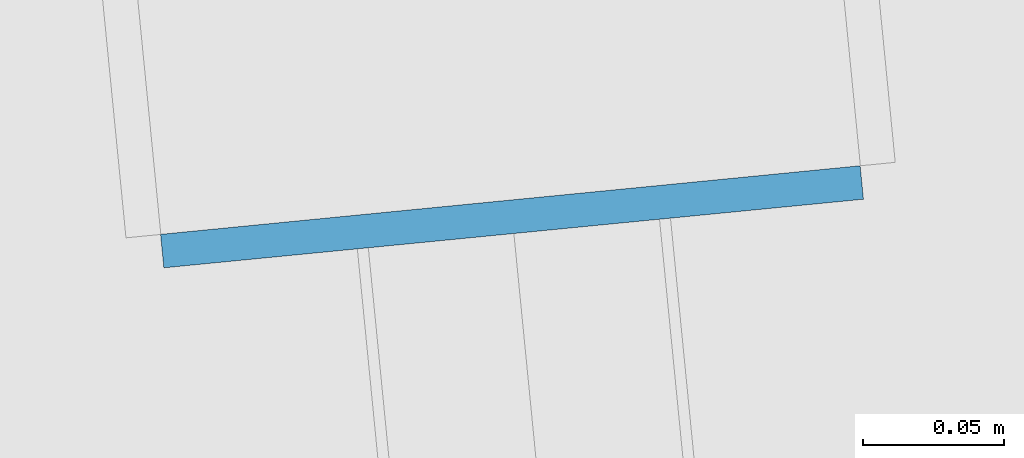
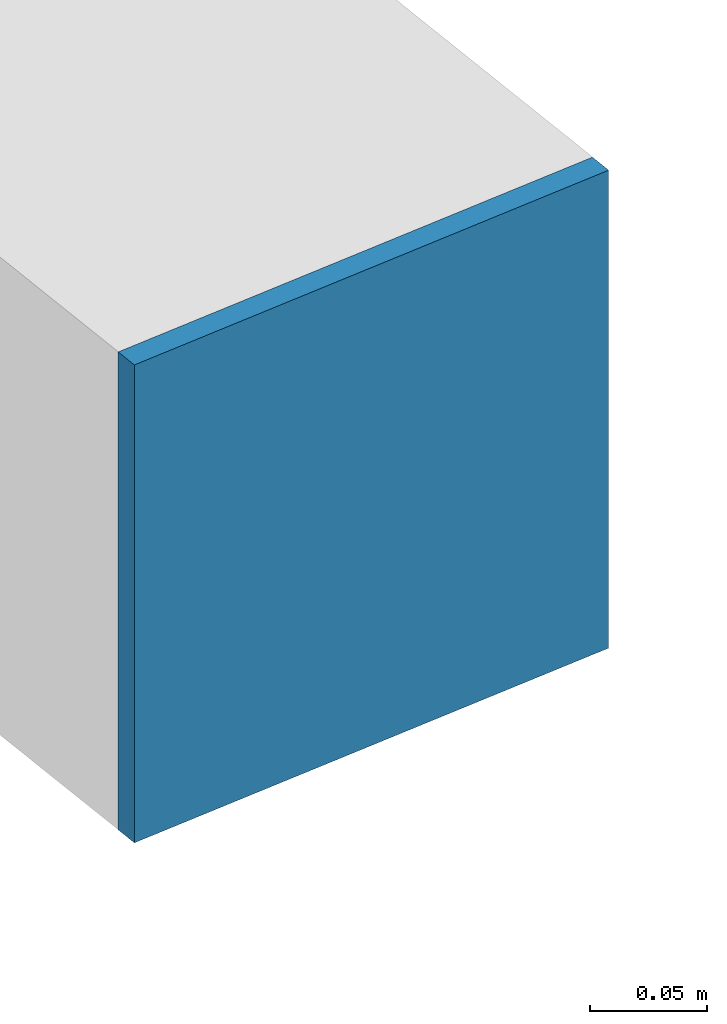
# One storey, part 39 of 53: 1 plate.
"""IFC4 building model written with IfcOpenShell, lengths in metres."""

from ifc_helpers import new_model, si_unit, direction, frame, origin, origin_2d, place, context, subcontext, project, spatial, rectangle, extrude, source, transform, mapped, material, layer, layer_set, type_object, element, save


model = new_model("IFC4")

# Units and contexts
model_context = context("Model", 3, precision=1e-05, world=origin(), true_north=direction((0.0, 1.0)))
body_context = subcontext(model_context, "Body", "Model", "MODEL_VIEW")
ifc_project = project(units=[si_unit("LENGTHUNIT", "METRE"), si_unit("AREAUNIT", "SQUARE_METRE"), si_unit("VOLUMEUNIT", "CUBIC_METRE"), si_unit("PLANEANGLEUNIT", "RADIAN"), si_unit("MASSUNIT", "GRAM", prefix="KILO")], contexts=[model_context])

# Site, building, storey
site_placement = place(None, origin())
site = spatial("IfcSite", under=ifc_project, at=site_placement, CompositionType="ELEMENT")
building_placement = place(site_placement, origin())
building = spatial("IfcBuilding", under=site, at=building_placement, Name="Taldren Reach Tower", CompositionType="ELEMENT")
storey_placement = place(building_placement, frame((0.0, 0.0, 71.39990234375)))
storey = spatial("IfcBuildingStorey", under=building, at=storey_placement, Name="L21", CompositionType="ELEMENT", Elevation=71.39990234375)

# Plate
ifc_material = material(Name="Steel Gr 350 (C350L0)", Category="steel")
ifc_layer = layer(ifc_material, 0.011962890625)
ifc_layer_set = layer_set([ifc_layer], Name="Steel Gr 350 (C350L0)")
plate_type = type_object("IfcPlateType", Name="PL-CAP-250", PredefinedType="SHEET", material=ifc_layer_set)
shared_shape = source(origin(), body_context, "Body", "SweptSolid", [
    extrude(rectangle(XDim=0.25, YDim=0.011962890625, at=origin_2d()), origin(), (0.0, 0.0, 1.0), 0.25),
])
plate_placement = place(storey_placement, frame((34.353515625, 0.2607421875, 0.09521484375), z_axis=(0.0, 0.0, 1.0), x_axis=(0.995227399982, 0.097582899759, 0.0)))
element("IfcPlate", 1, at=plate_placement, inside=storey, type_object=plate_type, Name="Tie strut end cap plate B2-S3 L21", PredefinedType="SHEET", context=body_context, shape_type="MappedRepresentation", body=[
    mapped(shared_shape, transform((0.0, 0.0, 0.0), scale=1.0)),
])

save(model, "model.ifc")
